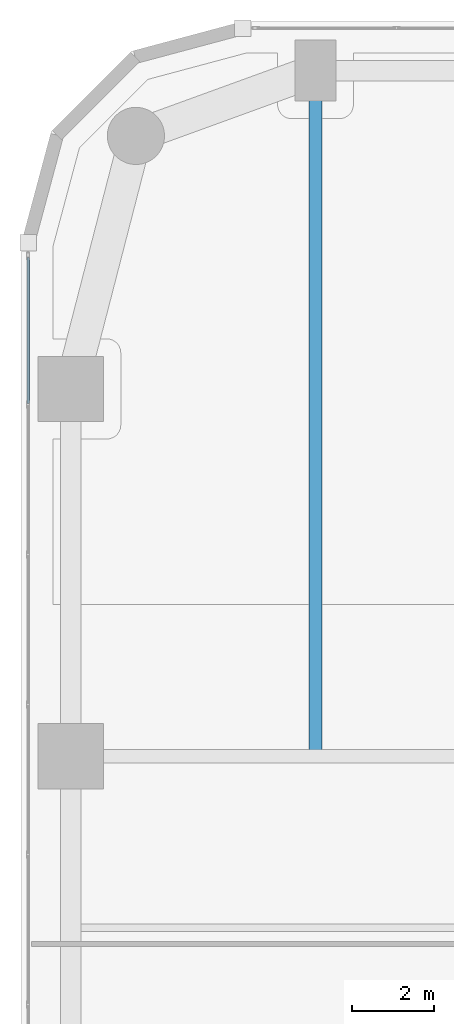
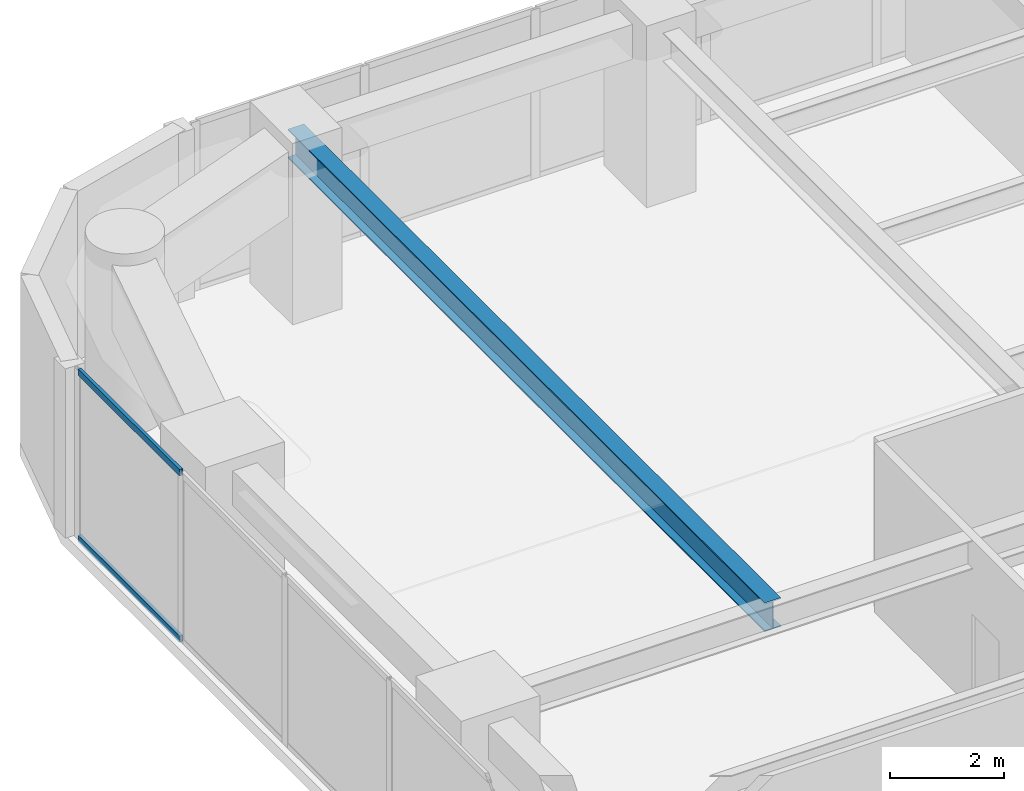
# One storey, part 10 of 24: 2 members, 1 beam, 1 element without a shape of its own.
"""IFC4 building model written with IfcOpenShell, lengths in metres."""

import ifcopenshell
import ifcopenshell.guid

model = None  # the IFC model being written
_history = None  # IfcOwnerHistory: only IFC2X3 demands one
_inside = {}  # id of a spatial element -> (the spatial element, [elements in it])
_under = {}  # id of a project, library or spatial element -> (it, [spatial elements below it])
_declared = {}  # id of a project -> (the project, [libraries it declares])
_typed = {}  # id of a type object -> (the type object, [elements of that type])
_made_of = {}  # id of a material, layer set ... -> (it, [elements and type objects made of it])


def new_model(schema):
    """Start an empty IFC model of exactly this schema.

    Asked for "IFC4X3", IfcOpenShell would pick the latest addendum, in which some entities
    have other attributes; the version numbers below select the first issue.
    IFC2X3 requires an IfcOwnerHistory on every rooted entity: one is made here for all.
    """
    global model, _history
    if schema == "IFC4X3":
        model = ifcopenshell.file(schema_version=(4, 3, 0, 0))
    else:
        model = ifcopenshell.file(schema=schema)
    _inside.clear()
    _under.clear()
    _declared.clear()
    _typed.clear()
    _made_of.clear()
    _history = None
    if model.schema == "IFC2X3":
        org = make("IfcOrganization", Name="unknown")
        user = make(
            "IfcPersonAndOrganization",
            ThePerson=make("IfcPerson", FamilyName="unknown"),
            TheOrganization=org,
        )
        app = make(
            "IfcApplication",
            ApplicationDeveloper=org,
            Version="unknown",
            ApplicationFullName="unknown",
            ApplicationIdentifier="unknown",
        )
        _history = make(
            "IfcOwnerHistory",
            OwningUser=user,
            OwningApplication=app,
            ChangeAction="ADDED",
            CreationDate=0,
        )
    return model


def make(cls, **values):
    """One entity of the class cls with the attributes given. An attribute that is None is left unset."""
    return model.create_entity(
        cls, **{name: value for name, value in values.items() if value is not None}
    )


def rooted(cls, **values):
    """An entity with a GlobalId (a new one), such as an element, a storey or a relation."""
    return make(cls, GlobalId=ifcopenshell.guid.new(), OwnerHistory=_history, **values)


def si_unit(unit_type, name, prefix=None):
    """IfcSIUnit, for example si_unit("LENGTHUNIT", "METRE", prefix="MILLI")."""
    return make("IfcSIUnit", UnitType=unit_type, Prefix=prefix, Name=name)


def assignment(units):
    """IfcUnitAssignment: the units of a project."""
    return None if units is None else make("IfcUnitAssignment", Units=units)


def point(xyz):
    """IfcCartesianPoint."""
    return None if xyz is None else make("IfcCartesianPoint", Coordinates=xyz)


def direction(xyz):
    """IfcDirection."""
    return None if xyz is None else make("IfcDirection", DirectionRatios=xyz)


def frame(location, z_axis=None, x_axis=None):
    """IfcAxis2Placement3D, a coordinate frame: its origin and axes. An axis left out is left unset."""
    return make(
        "IfcAxis2Placement3D",
        Location=point(location),
        Axis=direction(z_axis),
        RefDirection=direction(x_axis),
    )


def frame_2d(location, x_axis=None):
    """IfcAxis2Placement2D, a coordinate frame in the plane: its origin and x axis."""
    return make(
        "IfcAxis2Placement2D", Location=point(location), RefDirection=direction(x_axis)
    )


def origin():
    """The frame at (0, 0, 0) with its axes left unset."""
    return frame((0.0, 0.0, 0.0))


def origin_2d():
    """The frame at (0, 0) in the plane with its x axis left unset."""
    return frame_2d((0.0, 0.0))


def place(relative_to, where):
    """IfcLocalPlacement: puts the frame where relative to a parent placement (None: the world)."""
    return make(
        "IfcLocalPlacement", PlacementRelTo=relative_to, RelativePlacement=where
    )


def context(
    kind, dimensions, precision=None, world=None, true_north=None, identifier=None
):
    """IfcGeometricRepresentationContext, for example the 3D "Model" context."""
    return make(
        "IfcGeometricRepresentationContext",
        ContextIdentifier=identifier,
        ContextType=kind,
        CoordinateSpaceDimension=dimensions,
        Precision=precision,
        WorldCoordinateSystem=world,
        TrueNorth=true_north,
    )


def subcontext(parent, identifier, kind, view, scale=None):
    """IfcGeometricRepresentationSubContext, for example "Body" below "Model"."""
    return make(
        "IfcGeometricRepresentationSubContext",
        ContextIdentifier=identifier,
        ContextType=kind,
        ParentContext=parent,
        TargetScale=scale,
        TargetView=view,
    )


def project(units=None, contexts=None):
    """IfcProject with its units and contexts."""
    return rooted(
        "IfcProject",
        Name="project",
        RepresentationContexts=contexts,
        UnitsInContext=assignment(units),
    )


def spatial(cls, under=None, at=None, **own):
    """A site, building, storey or space (cls), placed at a placement, below another one or the project."""
    s = rooted(cls, ObjectPlacement=at, **own)
    if under is not None:
        _under.setdefault(under.id(), (under, []))[1].append(s)
    return s


def profile(cls, at=None, kind="AREA", **sizes):
    """A parametric profile (cls). Its sizes go by their IFC names, for example OverallWidth=200.0."""
    return make(cls, ProfileType=kind, Position=at, **sizes)


def hollow_rectangle(**sizes):
    """IfcRectangleHollowProfileDef."""
    return profile("IfcRectangleHollowProfileDef", **sizes)


def i_section(**sizes):
    """IfcIShapeProfileDef."""
    return profile("IfcIShapeProfileDef", **sizes)


def extrude(swept, where, along, depth):
    """IfcExtrudedAreaSolid: the profile swept, set in the frame where, extruded along a direction by depth."""
    return make(
        "IfcExtrudedAreaSolid",
        SweptArea=swept,
        Position=where,
        ExtrudedDirection=direction(along),
        Depth=depth,
    )


def shape(context_of_items, identifier, shape_type, items):
    """IfcShapeRepresentation: the items that make up one representation, for example the "Body"."""
    return make(
        "IfcShapeRepresentation",
        ContextOfItems=context_of_items,
        RepresentationIdentifier=identifier,
        RepresentationType=shape_type,
        Items=items,
    )


def material(Name=None, Category=None):
    """IfcMaterial."""
    return make("IfcMaterial", Name=Name, Category=Category)


def layer(
    of_material, thickness, ventilated=None, Name=None, Category=None, Priority=None
):
    """IfcMaterialLayer: one layer of a wall or slab, of a material (None: an air gap)."""
    return make(
        "IfcMaterialLayer",
        Material=of_material,
        LayerThickness=thickness,
        IsVentilated=ventilated,
        Name=Name,
        Category=Category,
        Priority=Priority,
    )


def layer_set(layers, Name=None):
    """IfcMaterialLayerSet."""
    return make("IfcMaterialLayerSet", MaterialLayers=layers, LayerSetName=Name)


def material_profile(
    of_material, cross_section, Name=None, Category=None, Priority=None
):
    """IfcMaterialProfile: a cross section and its material."""
    return make(
        "IfcMaterialProfile",
        Name=Name,
        Material=of_material,
        Profile=cross_section,
        Priority=Priority,
        Category=Category,
    )


def profile_set(profiles, Name=None, composite=None):
    """IfcMaterialProfileSet."""
    return make(
        "IfcMaterialProfileSet",
        Name=Name,
        MaterialProfiles=profiles,
        CompositeProfile=composite,
    )


def made_of(thing, what):
    """Note that an element or type object is made of a material, layer set ...; save() writes the relation."""
    if what is not None:
        _made_of.setdefault(what.id(), (what, []))[1].append(thing)
    return thing


def type_object(cls, material=None, **own):
    """A type object (cls), such as IfcWallType, which elements share."""
    return made_of(rooted(cls, **own), material)


def element(
    cls,
    number,
    at=None,
    inside=None,
    cuts=None,
    type_object=None,
    material=None,
    context=None,
    identifier="Body",
    shape_type=None,
    held_by="IfcProductDefinitionShape",
    body=None,
    shapes=None,
    **own,
):
    """One element of the class cls, such as IfcWall. Its Tag is "e" and its number.

    at: its placement. inside: the storey or other place that contains it. cuts: it is an
    opening in that element (IfcRelVoidsElement). A single representation is given by context,
    identifier, shape_type and body (its items); several are given by shapes. held_by: the class
    of the entity that holds the representations. save() writes the other relations.
    """
    e = rooted(cls, Tag="e%d" % number, ObjectPlacement=at, **own)
    if body is not None:
        shapes = [shape(context, identifier, shape_type, body)]
    if shapes is not None:
        e.Representation = make(held_by, Representations=shapes)
    if inside is not None:
        _inside.setdefault(inside.id(), (inside, []))[1].append(e)
    if cuts is not None:
        rooted(
            "IfcRelVoidsElement", RelatingBuildingElement=cuts, RelatedOpeningElement=e
        )
    if type_object is not None:
        _typed.setdefault(type_object.id(), (type_object, []))[1].append(e)
    return made_of(e, material)


def aggregate(whole, parts):
    """IfcRelAggregates: a whole, such as a stair, and the parts it consists of."""
    return rooted("IfcRelAggregates", RelatingObject=whole, RelatedObjects=parts)


def save(model, path):
    """Write the relations noted so far, then the file.

    IfcRelAggregates (storeys below a building ...), IfcRelContainedInSpatialStructure (elements
    in a storey), IfcRelDefinesByType, IfcRelAssociatesMaterial and IfcRelDeclares: one each for
    every whole, place, type object, material and project.
    """
    for whole, parts in _under.values():
        aggregate(whole, parts)
    for where, things in _inside.values():
        rooted(
            "IfcRelContainedInSpatialStructure",
            RelatedElements=things,
            RelatingStructure=where,
        )
    for kind, things in _typed.values():
        rooted("IfcRelDefinesByType", RelatedObjects=things, RelatingType=kind)
    for what, things in _made_of.values():
        rooted("IfcRelAssociatesMaterial", RelatedObjects=things, RelatingMaterial=what)
    for by, libraries in _declared.values():
        rooted("IfcRelDeclares", RelatingContext=by, RelatedDefinitions=libraries)
    model.write(path)


model = new_model("IFC4")

# Units and contexts
model_context = context("Model", 3, precision=1e-05, world=origin(), true_north=direction((0.0, 1.0)))
body_context = subcontext(model_context, "Body", "Model", "MODEL_VIEW")
ifc_project = project(units=[si_unit("LENGTHUNIT", "METRE"), si_unit("AREAUNIT", "SQUARE_METRE"), si_unit("VOLUMEUNIT", "CUBIC_METRE"), si_unit("PLANEANGLEUNIT", "RADIAN"), si_unit("MASSUNIT", "GRAM", prefix="KILO")], contexts=[model_context])

# Site, building, storey
site_placement = place(None, origin())
site = spatial("IfcSite", under=ifc_project, at=site_placement, CompositionType="ELEMENT")
building_placement = place(site_placement, origin())
building = spatial("IfcBuilding", under=site, at=building_placement, Name="Kiyonajd Concourse Tower", CompositionType="ELEMENT")
storey_placement = place(building_placement, frame((0.0, 0.0, 89.699951171875)))
storey = spatial("IfcBuildingStorey", under=building, at=storey_placement, Name="L23", CompositionType="ELEMENT", Elevation=89.699951171875)

# Beam
ifc_material_1 = material(Name="Steel ASTM A992 Grade 50", Category="steel")
ifc_material_profile_1 = material_profile(ifc_material_1, i_section(OverallWidth=0.326904296875, OverallDepth=0.6220703125, WebThickness=0.015380859375, FlangeThickness=0.0244140625, at=origin_2d()), Name="W610X195")
ifc_profile_set_1 = profile_set([ifc_material_profile_1], Name="Steel ASTM A992 Grade 50")
beam_type = type_object("IfcBeamType", Name="BM-TWR-610A", PredefinedType="BEAM", material=ifc_profile_set_1)
beam_placement = place(storey_placement, frame((25.199951171875, 44.39990234375, 3.3291015625), z_axis=(0.0, 1.0, 0.0), x_axis=(-1.0, 0.0, 0.0)))
element("IfcBeam", 1, at=beam_placement, inside=storey, type_object=beam_type, Name="L23 North Lease Girder", PredefinedType="BEAM", context=body_context, shape_type="SweptSolid", body=[
    extrude(i_section(OverallWidth=0.326904296875, OverallDepth=0.6220703125, WebThickness=0.015380859375, FlangeThickness=0.0244140625, at=origin_2d()), origin(), (0.0, 0.0, 1.0), 16.800048828125),
])

# Curtain wall, members
ifc_material_2 = material(Name="Thermally Broken Anodised Aluminium", Category="aluminium")
ifc_layer = layer(ifc_material_2, 0.179931640625)
ifc_layer_set = layer_set([ifc_layer], Name="Thermally Broken Anodised Aluminium")
curtain_wall_type = type_object("IfcCurtainWallType", Name="CW-SYS-03", PredefinedType="NOTDEFINED", material=ifc_layer_set)
curtain_wall_placement = place(storey_placement, origin())
curtain_wall = element("IfcCurtainWall", 2, at=curtain_wall_placement, inside=storey, type_object=curtain_wall_type, Name="L23 Unitised Curtain Wall CW3", PredefinedType="NOTDEFINED")
ifc_material_profile_2 = material_profile(ifc_material_2, hollow_rectangle(XDim=0.06494140625, YDim=0.139892578125, WallThickness=0.00390625, at=origin_2d()), Name="TRAN-65x140")
ifc_profile_set_2 = profile_set([ifc_material_profile_2], Name="Thermally Broken Anodised Aluminium")
member_type = type_object("IfcMemberType", Name="MB-CW-TRAN1", PredefinedType="USERDEFINED", material=ifc_profile_set_2)
member_1_placement = place(storey_placement, frame((18.159912109375, 53.04833984375, 0.032470703125), z_axis=(0.0, 1.0, 0.0), x_axis=(-1.0, 0.0, 0.0)))
member_1 = element("IfcMember", 3, at=member_1_placement, type_object=member_type, Name="CW3 transom 6.1", ObjectType="TRANSOM", PredefinedType="USERDEFINED", context=body_context, shape_type="SweptSolid", body=[
    extrude(hollow_rectangle(XDim=0.06494140625, YDim=0.139892578125, WallThickness=0.00390625, at=origin_2d()), origin(), (0.0, 0.0, 1.0), 3.575439453125),
])
member_2_placement = place(storey_placement, frame((18.159912109375, 53.04833984375, 3.607666015625), z_axis=(0.0, 1.0, 0.0), x_axis=(-1.0, 0.0, 0.0)))
member_2 = element("IfcMember", 4, at=member_2_placement, type_object=member_type, Name="CW3 transom 6.2", ObjectType="TRANSOM", PredefinedType="USERDEFINED", context=body_context, shape_type="SweptSolid", body=[
    extrude(hollow_rectangle(XDim=0.06494140625, YDim=0.139892578125, WallThickness=0.00390625, at=origin_2d()), origin(), (0.0, 0.0, 1.0), 3.575439453125),
])
aggregate(curtain_wall, [member_1, member_2])

save(model, "model.ifc")
